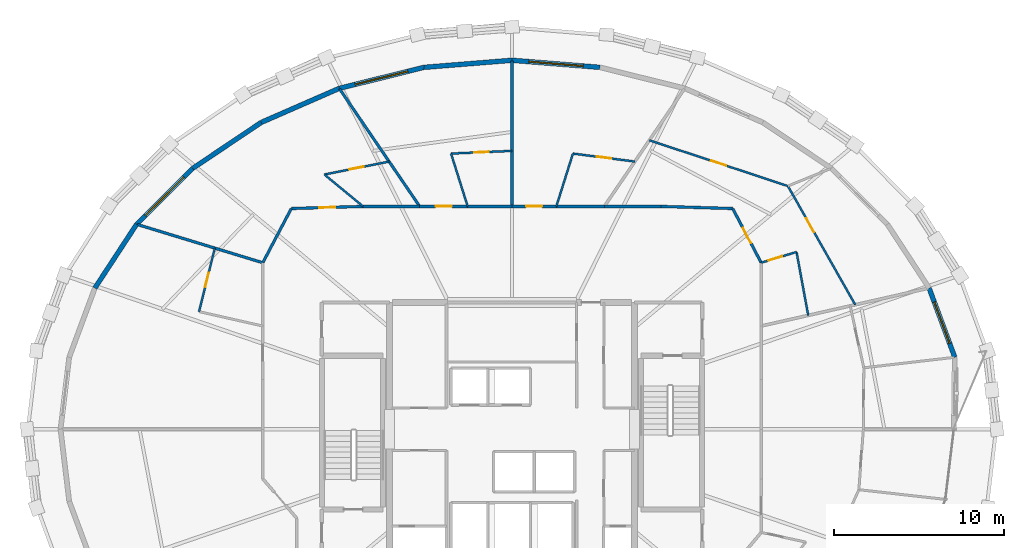
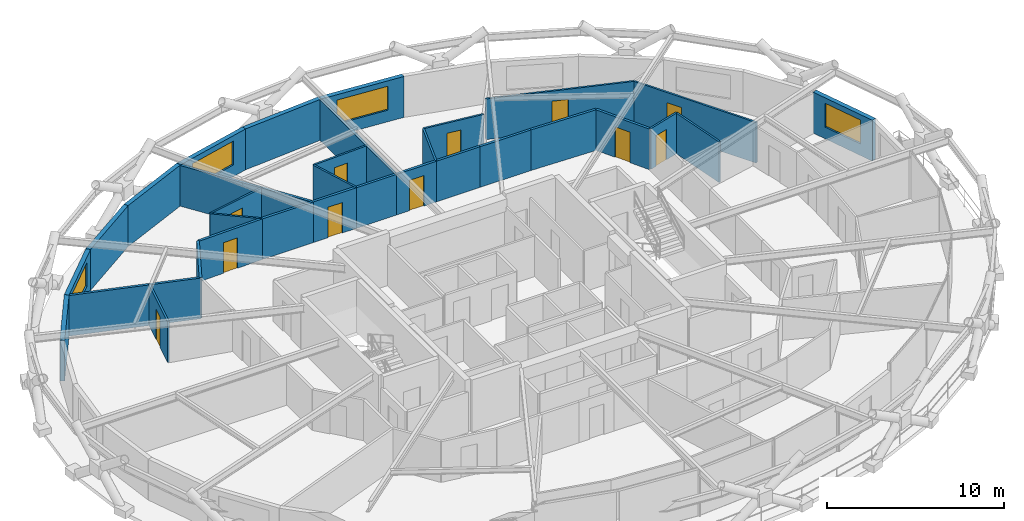
# One storey, part 17 of 21: 32 walls, 11 doors, 4 windows, 15 openings.
"""IFC4 building model written with IfcOpenShell, lengths in metres."""

from ifc_helpers import new_model, si_unit, direction, frame, frame_2d, origin, place, context, subcontext, project, spatial, rectangle, extrude, material, layer, layer_set, type_object, element, fill, save


model = new_model("IFC4")

# Units and contexts
model_context = context("Model", 3, precision=1e-05, world=origin(), true_north=direction((0.0, 1.0)))
body_context = subcontext(model_context, "Body", "Model", "MODEL_VIEW")
ifc_project = project(units=[si_unit("LENGTHUNIT", "METRE"), si_unit("AREAUNIT", "SQUARE_METRE"), si_unit("VOLUMEUNIT", "CUBIC_METRE"), si_unit("PLANEANGLEUNIT", "RADIAN"), si_unit("MASSUNIT", "GRAM", prefix="KILO")], contexts=[model_context])

# Site, building, storey
site_placement = place(None, origin())
site = spatial("IfcSite", under=ifc_project, at=site_placement, CompositionType="ELEMENT")
building_placement = place(site_placement, origin())
building = spatial("IfcBuilding", under=site, at=building_placement, Name="Veldorina Hangang Commons", CompositionType="ELEMENT")
storey_placement = place(building_placement, frame((0.0, 0.0, 135.199951171875)))
storey = spatial("IfcBuildingStorey", under=building, at=storey_placement, Name="L34", CompositionType="ELEMENT", Elevation=135.199951171875)

# Wall, opening, window
ifc_material_1 = material(Name="Stone Roman Travertine", Category="masonry")
ifc_layer_1 = layer(ifc_material_1, 0.280029296875)
ifc_layer_set_1 = layer_set([ifc_layer_1], Name="Stone Roman Travertine")
wall_type_1 = type_object("IfcWallType", Name="EW-TRAV-280", PredefinedType="STANDARD", material=ifc_layer_set_1)
wall_1_placement = place(storey_placement, frame((58.03125, 28.231689453125, 0.0), z_axis=(0.0, 0.0, 1.0), x_axis=(-0.347959140817, 0.937509699321, 0.0)))
wall_1 = element("IfcWall", 1, at=wall_1_placement, inside=storey, type_object=wall_type_1, Name="L34 travertine facade wall 01", PredefinedType="STANDARD", context=body_context, shape_type="SweptSolid", body=[
    extrude(rectangle(XDim=4.34033203125, YDim=0.280029296875, at=frame_2d((2.170166015625, 0.0))), origin(), (0.0, 0.0, 1.0), 2.820068359375),
])
opening_1_placement = place(wall_1_placement, frame((0.8701171875, 0.0, 0.800048828125)))
opening_1 = element("IfcOpeningElement", 2, at=opening_1_placement, cuts=wall_1, Name="Opening W-02", PredefinedType="OPENING", context=body_context, shape_type="SweptSolid", body=[
    extrude(rectangle(XDim=2.60009765625, YDim=1.64990234375, at=frame_2d((1.300048828125, 0.824951171875))), frame((0.0, 0.14990234375, 0.0), z_axis=(0.0, -1.0, 0.0), x_axis=(1.0, 0.0, 0.0)), (0.0, 0.0, 1.0), 0.300048828125),
])
ifc_material_2 = material(Name="Glass Low-E Triple IGU", Category="glass")
window_type_1 = type_object("IfcWindowType", Name="WIN-TWR-2600", PartitioningType="SINGLE_PANEL", PredefinedType="WINDOW", material=ifc_material_2)
window_1_placement = place(opening_1_placement, origin())
window_1 = element("IfcWindow", 3, at=window_1_placement, inside=storey, type_object=window_type_1, Name="L34 facade window 01", OverallHeight=1.64990234375, OverallWidth=2.60009765625, PartitioningType="SINGLE_PANEL", PredefinedType="WINDOW", context=body_context, shape_type="SweptSolid", body=[
    extrude(rectangle(XDim=2.60009765625, YDim=1.64990234375, at=frame_2d((1.300048828125, 0.824951171875))), frame((0.0, 0.030029296875, 0.0), z_axis=(0.0, -1.0, 0.0), x_axis=(1.0, 0.0, 0.0)), (0.0, 0.0, 1.0), 0.06005859375),
])
fill(opening_1, window_1)

wall_2_placement = place(storey_placement, frame((37.177978515625, 45.274169921875, 0.0), z_axis=(0.0, 0.0, 1.0), x_axis=(-0.996776757723, 0.080225278204, 0.0)))
wall_2 = element("IfcWall", 4, at=wall_2_placement, inside=storey, type_object=wall_type_1, Name="L34 travertine facade wall 07", PredefinedType="STANDARD", context=body_context, shape_type="SweptSolid", body=[
    extrude(rectangle(XDim=5.19482421875, YDim=0.280029296875, at=frame_2d((2.597412109375, 0.0))), origin(), (0.0, 0.0, 1.0), 2.820068359375),
])
opening_2_placement = place(wall_2_placement, frame((0.997314453125, 0.0, 0.800048828125)))
opening_2 = element("IfcOpeningElement", 5, at=opening_2_placement, cuts=wall_2, Name="Opening W-01", PredefinedType="OPENING", context=body_context, shape_type="SweptSolid", body=[
    extrude(rectangle(XDim=3.199951171875, YDim=1.64990234375, at=frame_2d((1.60009765625, 0.824951171875))), frame((0.0, 0.14990234375, 0.0), z_axis=(0.0, -1.0, 0.0), x_axis=(1.0, 0.0, 0.0)), (0.0, 0.0, 1.0), 0.300048828125),
])
window_type_2 = type_object("IfcWindowType", Name="WIN-TWR-3200", PartitioningType="SINGLE_PANEL", PredefinedType="WINDOW", material=ifc_material_2)
window_2_placement = place(opening_2_placement, origin())
window_2 = element("IfcWindow", 6, at=window_2_placement, inside=storey, type_object=window_type_2, Name="L34 facade window 07", OverallHeight=1.64990234375, OverallWidth=3.199951171875, PartitioningType="SINGLE_PANEL", PredefinedType="WINDOW", context=body_context, shape_type="SweptSolid", body=[
    extrude(rectangle(XDim=3.199951171875, YDim=1.64990234375, at=frame_2d((1.60009765625, 0.824951171875))), frame((0.0, 0.030029296875, 0.0), z_axis=(0.0, -1.0, 0.0), x_axis=(1.0, 0.0, 0.0)), (0.0, 0.0, 1.0), 0.06005859375),
])
fill(opening_2, window_2)

# Wall
wall_3_placement = place(storey_placement, frame((32.0, 45.69091796875, 0.0), z_axis=(0.0, 0.0, 1.0), x_axis=(-0.996776757723, -0.080225278204, 0.0)))
element("IfcWall", 7, at=wall_3_placement, inside=storey, type_object=wall_type_1, Name="L34 travertine facade wall 08", PredefinedType="STANDARD", context=body_context, shape_type="SweptSolid", body=[
    extrude(rectangle(XDim=5.19482421875, YDim=0.280029296875, at=frame_2d((2.597412109375, 0.0))), origin(), (0.0, 0.0, 1.0), 2.820068359375),
])

# Wall, opening, window
wall_4_placement = place(storey_placement, frame((26.822021484375, 45.274169921875, 0.0), z_axis=(0.0, 0.0, 1.0), x_axis=(-0.970616564694, -0.240631428415, 0.0)))
wall_4 = element("IfcWall", 8, at=wall_4_placement, inside=storey, type_object=wall_type_1, Name="L34 travertine facade wall 09", PredefinedType="STANDARD", context=body_context, shape_type="SweptSolid", body=[
    extrude(rectangle(XDim=5.129638671875, YDim=0.280029296875, at=frame_2d((2.56494140625, 0.0))), origin(), (0.0, 0.0, 1.0), 2.820068359375),
])
opening_3_placement = place(wall_4_placement, frame((0.96484375, 0.0, 0.800048828125)))
opening_3 = element("IfcOpeningElement", 9, at=opening_3_placement, cuts=wall_4, Name="Opening W-01", PredefinedType="OPENING", context=body_context, shape_type="SweptSolid", body=[
    extrude(rectangle(XDim=3.199951171875, YDim=1.64990234375, at=frame_2d((1.60009765625, 0.824951171875))), frame((0.0, 0.14990234375, 0.0), z_axis=(0.0, -1.0, 0.0), x_axis=(1.0, 0.0, 0.0)), (0.0, 0.0, 1.0), 0.300048828125),
])
window_3_placement = place(opening_3_placement, origin())
window_3 = element("IfcWindow", 10, at=window_3_placement, inside=storey, type_object=window_type_2, Name="L34 facade window 09", OverallHeight=1.64990234375, OverallWidth=3.199951171875, PartitioningType="SINGLE_PANEL", PredefinedType="WINDOW", context=body_context, shape_type="SweptSolid", body=[
    extrude(rectangle(XDim=3.199951171875, YDim=1.64990234375, at=frame_2d((1.60009765625, 0.824951171875))), frame((0.0, 0.030029296875, 0.0), z_axis=(0.0, -1.0, 0.0), x_axis=(1.0, 0.0, 0.0)), (0.0, 0.0, 1.0), 0.06005859375),
])
fill(opening_3, window_3)

# Walls
wall_5_placement = place(storey_placement, frame((21.843017578125, 44.039794921875, 0.0), z_axis=(0.0, 0.0, 1.0), x_axis=(-0.916386582237, -0.400294431507, 0.0)))
element("IfcWall", 11, at=wall_5_placement, inside=storey, type_object=wall_type_1, Name="L34 travertine facade wall 10", PredefinedType="STANDARD", context=body_context, shape_type="SweptSolid", body=[
    extrude(rectangle(XDim=5.00732421875, YDim=0.280029296875, at=frame_2d((2.503662109375, 0.0))), origin(), (0.0, 0.0, 1.0), 2.820068359375),
])
wall_6_placement = place(storey_placement, frame((17.25439453125, 42.035400390625, 0.0), z_axis=(0.0, 0.0, 1.0), x_axis=(-0.830503660309, -0.557013168797, 0.0)))
element("IfcWall", 12, at=wall_6_placement, inside=storey, type_object=wall_type_1, Name="L34 travertine facade wall 11", PredefinedType="STANDARD", context=body_context, shape_type="SweptSolid", body=[
    extrude(rectangle(XDim=4.8427734375, YDim=0.280029296875, at=frame_2d((2.42138671875, 0.0))), origin(), (0.0, 0.0, 1.0), 2.820068359375),
])

# Wall, opening, window
wall_7_placement = place(storey_placement, frame((13.232421875, 39.337890625, 0.0), z_axis=(0.0, 0.0, 1.0), x_axis=(-0.708572716766, -0.705637800188, 0.0)))
wall_7 = element("IfcWall", 13, at=wall_7_placement, inside=storey, type_object=wall_type_1, Name="L34 travertine facade wall 12", PredefinedType="STANDARD", context=body_context, shape_type="SweptSolid", body=[
    extrude(rectangle(XDim=4.658447265625, YDim=0.280029296875, at=frame_2d((2.3291015625, 0.0))), origin(), (0.0, 0.0, 1.0), 2.820068359375),
])
opening_4_placement = place(wall_7_placement, frame((0.72900390625, 0.0, 0.800048828125)))
opening_4 = element("IfcOpeningElement", 14, at=opening_4_placement, cuts=wall_7, Name="Opening W-01", PredefinedType="OPENING", context=body_context, shape_type="SweptSolid", body=[
    extrude(rectangle(XDim=3.199951171875, YDim=1.64990234375, at=frame_2d((1.60009765625, 0.824951171875))), frame((0.0, 0.14990234375, 0.0), z_axis=(0.0, -1.0, 0.0), x_axis=(1.0, 0.0, 0.0)), (0.0, 0.0, 1.0), 0.300048828125),
])
window_4_placement = place(opening_4_placement, origin())
window_4 = element("IfcWindow", 15, at=window_4_placement, inside=storey, type_object=window_type_2, Name="L34 facade window 12", OverallHeight=1.64990234375, OverallWidth=3.199951171875, PartitioningType="SINGLE_PANEL", PredefinedType="WINDOW", context=body_context, shape_type="SweptSolid", body=[
    extrude(rectangle(XDim=3.199951171875, YDim=1.64990234375, at=frame_2d((1.60009765625, 0.824951171875))), frame((0.0, 0.030029296875, 0.0), z_axis=(0.0, -1.0, 0.0), x_axis=(1.0, 0.0, 0.0)), (0.0, 0.0, 1.0), 0.06005859375),
])
fill(opening_4, window_4)

# Wall
wall_8_placement = place(storey_placement, frame((9.931640625, 36.05078125, 0.0), z_axis=(0.0, 0.0, 1.0), x_axis=(-0.547360926274, -0.83689665813, 0.0)))
element("IfcWall", 16, at=wall_8_placement, inside=storey, type_object=wall_type_1, Name="L34 travertine facade wall 13", PredefinedType="STANDARD", context=body_context, shape_type="SweptSolid", body=[
    extrude(rectangle(XDim=4.48095703125, YDim=0.280029296875, at=frame_2d((2.240478515625, 0.0))), origin(), (0.0, 0.0, 1.0), 2.820068359375),
])

# Wall, opening, door
ifc_material_3 = material(Name="Gypsum Fire-Rated Twin Stud Wall", Category="gypsum")
ifc_layer_2 = layer(ifc_material_3, 0.159912109375)
ifc_layer_set_2 = layer_set([ifc_layer_2], Name="Gypsum Fire-Rated Twin Stud Wall")
wall_type_2 = type_object("IfcWallType", Name="WL-FIRE-160", PredefinedType="SOLIDWALL", material=ifc_layer_set_2)
wall_9_placement = place(storey_placement, frame((46.64990234375, 33.788818359375, 0.0), z_axis=(0.0, 0.0, 1.0), x_axis=(-0.46527115782, 0.885168204185, 0.0)))
wall_9 = element("IfcWall", 17, at=wall_9_placement, inside=storey, type_object=wall_type_2, Name="L34 U-corridor outer wall 03 047", PredefinedType="SOLIDWALL", context=body_context, shape_type="SweptSolid", body=[
    extrude(rectangle(XDim=3.599609375, YDim=0.159912109375, at=frame_2d((1.7998046875, 0.0))), origin(), (0.0, 0.0, 1.0), 2.800048828125),
])
opening_5_placement = place(wall_9_placement, frame((1.2998046875, 0.0, 0.0)))
opening_5 = element("IfcOpeningElement", 18, at=opening_5_placement, cuts=wall_9, Name="Opening D-06", PredefinedType="OPENING", context=body_context, shape_type="SweptSolid", body=[
    extrude(rectangle(XDim=1.0, YDim=2.10009765625, at=frame_2d((0.5, 1.050048828125))), frame((0.0, 0.08984375, 0.0), z_axis=(0.0, -1.0, 0.0), x_axis=(1.0, 0.0, 0.0)), (0.0, 0.0, 1.0), 0.179931640625),
])
ifc_material_4 = material(Name="Timber Fire-Rated Entrance Core", Category="wood")
door_type_1 = type_object("IfcDoorType", Name="DR-UNIT-1000", OperationType="SINGLE_SWING_LEFT", PredefinedType="DOOR", material=ifc_material_4)
door_1_placement = place(opening_5_placement, origin())
door_1 = element("IfcDoor", 19, at=door_1_placement, inside=storey, type_object=door_type_1, Name="L34 Cluster 3 entrance door 027", OperationType="SINGLE_SWING_LEFT", OverallHeight=2.10009765625, OverallWidth=1.0, PredefinedType="DOOR", context=body_context, shape_type="SweptSolid", body=[
    extrude(rectangle(XDim=1.0, YDim=2.10009765625, at=frame_2d((0.5, 1.050048828125))), frame((0.0, 0.02490234375, 0.0), z_axis=(0.0, -1.0, 0.0), x_axis=(1.0, 0.0, 0.0)), (0.0, 0.0, 1.0), 0.050048828125),
])
fill(opening_5, door_1)

# Walls
wall_10_placement = place(storey_placement, frame((44.97509765625, 36.97509765625, 0.0), z_axis=(0.0, 0.0, 1.0), x_axis=(-0.999561990195, 0.029594387265, 0.0)))
element("IfcWall", 20, at=wall_10_placement, inside=storey, type_object=wall_type_2, Name="L34 U-corridor outer wall 04 048", PredefinedType="SOLIDWALL", context=body_context, shape_type="SweptSolid", body=[
    extrude(rectangle(XDim=4.223876953125, YDim=0.159912109375, at=frame_2d((2.11181640625, 0.0))), origin(), (0.0, 0.0, 1.0), 2.800048828125),
])
wall_11_placement = place(storey_placement, frame((40.753173828125, 37.10009765625, 0.0), z_axis=(0.0, 0.0, 1.0), x_axis=(-1.0, 0.0, 0.0)))
element("IfcWall", 21, at=wall_11_placement, inside=storey, type_object=wall_type_2, Name="L34 U-corridor outer wall 05 049", PredefinedType="SOLIDWALL", context=body_context, shape_type="SweptSolid", body=[
    extrude(rectangle(XDim=3.326904296875, YDim=0.159912109375, at=frame_2d((1.66357421875, 0.0))), origin(), (0.0, 0.0, 1.0), 2.800048828125),
])
wall_12_placement = place(storey_placement, frame((37.42626953125, 37.10009765625, 0.0), z_axis=(0.0, 0.0, 1.0), x_axis=(-1.0, 0.0, 0.0)))
element("IfcWall", 22, at=wall_12_placement, inside=storey, type_object=wall_type_2, Name="L34 U-corridor outer wall 06 050", PredefinedType="SOLIDWALL", context=body_context, shape_type="SweptSolid", body=[
    extrude(rectangle(XDim=2.820556640625, YDim=0.159912109375, at=frame_2d((1.41015625, 0.0))), origin(), (0.0, 0.0, 1.0), 2.800048828125),
])

# Wall, opening, door
wall_13_placement = place(storey_placement, frame((34.605712890625, 37.10009765625, 0.0), z_axis=(0.0, 0.0, 1.0), x_axis=(-1.0, 0.0, 0.0)))
wall_13 = element("IfcWall", 23, at=wall_13_placement, inside=storey, type_object=wall_type_2, Name="L34 U-corridor outer wall 07 051", PredefinedType="SOLIDWALL", context=body_context, shape_type="SweptSolid", body=[
    extrude(rectangle(XDim=2.605712890625, YDim=0.159912109375, at=frame_2d((1.302734375, 0.0))), origin(), (0.0, 0.0, 1.0), 2.800048828125),
])
opening_6_placement = place(wall_13_placement, frame((0.827880859375, 0.0, 0.0)))
opening_6 = element("IfcOpeningElement", 24, at=opening_6_placement, cuts=wall_13, Name="Opening D-03", PredefinedType="OPENING", context=body_context, shape_type="SweptSolid", body=[
    extrude(rectangle(XDim=0.949951171875, YDim=2.10009765625, at=frame_2d((0.47509765625, 1.050048828125))), frame((0.0, 0.08984375, 0.0), z_axis=(0.0, -1.0, 0.0), x_axis=(1.0, 0.0, 0.0)), (0.0, 0.0, 1.0), 0.179931640625),
])
door_type_2 = type_object("IfcDoorType", Name="DR-UNIT-950", OperationType="SINGLE_SWING_RIGHT", PredefinedType="DOOR", material=ifc_material_4)
door_2_placement = place(opening_6_placement, origin())
door_2 = element("IfcDoor", 25, at=door_2_placement, inside=storey, type_object=door_type_2, Name="L34 Studio 4 entrance door 031", OperationType="SINGLE_SWING_LEFT", OverallHeight=2.10009765625, OverallWidth=0.949951171875, PredefinedType="DOOR", context=body_context, shape_type="SweptSolid", body=[
    extrude(rectangle(XDim=0.949951171875, YDim=2.10009765625, at=frame_2d((0.47509765625, 1.050048828125))), frame((0.0, 0.02490234375, 0.0), z_axis=(0.0, -1.0, 0.0), x_axis=(1.0, 0.0, 0.0)), (0.0, 0.0, 1.0), 0.050048828125),
])
fill(opening_6, door_2)

# Wall
wall_14_placement = place(storey_placement, frame((32.0, 37.10009765625, 0.0), z_axis=(0.0, 0.0, 1.0), x_axis=(-1.0, 0.0, 0.0)))
element("IfcWall", 26, at=wall_14_placement, inside=storey, type_object=wall_type_2, Name="L34 U-corridor outer wall 08 052", PredefinedType="SOLIDWALL", context=body_context, shape_type="SweptSolid", body=[
    extrude(rectangle(XDim=2.605712890625, YDim=0.159912109375, at=frame_2d((1.302734375, 0.0))), origin(), (0.0, 0.0, 1.0), 2.800048828125),
])

# Wall, opening, door
wall_15_placement = place(storey_placement, frame((29.394287109375, 37.10009765625, 0.0), z_axis=(0.0, 0.0, 1.0), x_axis=(-1.0, 0.0, 0.0)))
wall_15 = element("IfcWall", 27, at=wall_15_placement, inside=storey, type_object=wall_type_2, Name="L34 U-corridor outer wall 09 053", PredefinedType="SOLIDWALL", context=body_context, shape_type="SweptSolid", body=[
    extrude(rectangle(XDim=2.820556640625, YDim=0.159912109375, at=frame_2d((1.41015625, 0.0))), origin(), (0.0, 0.0, 1.0), 2.800048828125),
])
opening_7_placement = place(wall_15_placement, frame((0.935302734375, 0.0, 0.0)))
opening_7 = element("IfcOpeningElement", 28, at=opening_7_placement, cuts=wall_15, Name="Opening D-03", PredefinedType="OPENING", context=body_context, shape_type="SweptSolid", body=[
    extrude(rectangle(XDim=0.949951171875, YDim=2.10009765625, at=frame_2d((0.47509765625, 1.050048828125))), frame((0.0, 0.08984375, 0.0), z_axis=(0.0, -1.0, 0.0), x_axis=(1.0, 0.0, 0.0)), (0.0, 0.0, 1.0), 0.179931640625),
])
door_3_placement = place(opening_7_placement, origin())
door_3 = element("IfcDoor", 29, at=door_3_placement, inside=storey, type_object=door_type_2, Name="L34 Studio 5 entrance door 033", OperationType="SINGLE_SWING_LEFT", OverallHeight=2.10009765625, OverallWidth=0.949951171875, PredefinedType="DOOR", context=body_context, shape_type="SweptSolid", body=[
    extrude(rectangle(XDim=0.949951171875, YDim=2.10009765625, at=frame_2d((0.47509765625, 1.050048828125))), frame((0.0, 0.02490234375, 0.0), z_axis=(0.0, -1.0, 0.0), x_axis=(1.0, 0.0, 0.0)), (0.0, 0.0, 1.0), 0.050048828125),
])
fill(opening_7, door_3)

# Wall
wall_16_placement = place(storey_placement, frame((26.57373046875, 37.10009765625, 0.0), z_axis=(0.0, 0.0, 1.0), x_axis=(-1.0, 0.0, 0.0)))
element("IfcWall", 30, at=wall_16_placement, inside=storey, type_object=wall_type_2, Name="L34 U-corridor outer wall 10 054", PredefinedType="SOLIDWALL", context=body_context, shape_type="SweptSolid", body=[
    extrude(rectangle(XDim=3.326904296875, YDim=0.159912109375, at=frame_2d((1.66357421875, 0.0))), origin(), (0.0, 0.0, 1.0), 2.800048828125),
])

# Wall, opening, door
wall_17_placement = place(storey_placement, frame((23.246826171875, 37.10009765625, 0.0), z_axis=(0.0, 0.0, 1.0), x_axis=(-0.999561990195, -0.029594387265, 0.0)))
wall_17 = element("IfcWall", 31, at=wall_17_placement, inside=storey, type_object=wall_type_2, Name="L34 U-corridor outer wall 11 055", PredefinedType="SOLIDWALL", context=body_context, shape_type="SweptSolid", body=[
    extrude(rectangle(XDim=4.223876953125, YDim=0.159912109375, at=frame_2d((2.11181640625, 0.0))), origin(), (0.0, 0.0, 1.0), 2.800048828125),
])
opening_8_placement = place(wall_17_placement, frame((1.636962890625, 0.0, 0.0)))
opening_8 = element("IfcOpeningElement", 32, at=opening_8_placement, cuts=wall_17, Name="Opening D-03", PredefinedType="OPENING", context=body_context, shape_type="SweptSolid", body=[
    extrude(rectangle(XDim=0.949951171875, YDim=2.10009765625, at=frame_2d((0.47509765625, 1.050048828125))), frame((0.0, 0.08984375, 0.0), z_axis=(0.0, -1.0, 0.0), x_axis=(1.0, 0.0, 0.0)), (0.0, 0.0, 1.0), 0.179931640625),
])
door_4_placement = place(opening_8_placement, origin())
door_4 = element("IfcDoor", 33, at=door_4_placement, inside=storey, type_object=door_type_2, Name="L34 Studio 6 entrance door 035", OperationType="SINGLE_SWING_LEFT", OverallHeight=2.10009765625, OverallWidth=0.949951171875, PredefinedType="DOOR", context=body_context, shape_type="SweptSolid", body=[
    extrude(rectangle(XDim=0.949951171875, YDim=2.10009765625, at=frame_2d((0.47509765625, 1.050048828125))), frame((0.0, 0.02490234375, 0.0), z_axis=(0.0, -1.0, 0.0), x_axis=(1.0, 0.0, 0.0)), (0.0, 0.0, 1.0), 0.050048828125),
])
fill(opening_8, door_4)

# Walls
wall_18_placement = place(storey_placement, frame((19.02490234375, 36.97509765625, 0.0), z_axis=(0.0, 0.0, 1.0), x_axis=(-0.46527115782, -0.885168204185, 0.0)))
element("IfcWall", 34, at=wall_18_placement, inside=storey, type_object=wall_type_2, Name="L34 U-corridor outer wall 12 056", PredefinedType="SOLIDWALL", context=body_context, shape_type="SweptSolid", body=[
    extrude(rectangle(XDim=3.599609375, YDim=0.159912109375, at=frame_2d((1.7998046875, 0.0))), origin(), (0.0, 0.0, 1.0), 2.800048828125),
])
wall_19_placement = place(storey_placement, frame((32.0, 37.10009765625, 0.0), z_axis=(0.0, 0.0, 1.0), x_axis=(0.0, 1.0, 0.0)))
element("IfcWall", 35, at=wall_19_placement, inside=storey, type_object=wall_type_2, Name="L34 Unit party wall 08 100", PredefinedType="SOLIDWALL", context=body_context, shape_type="SweptSolid", body=[
    extrude(rectangle(XDim=8.540771484375, YDim=0.159912109375, at=frame_2d((4.2705078125, 0.0))), origin(), (0.0, 0.0, 1.0), 2.800048828125),
])
wall_20_placement = place(storey_placement, frame((26.57373046875, 37.10009765625, 0.0), z_axis=(0.0, 0.0, 1.0), x_axis=(-0.563247896503, 0.826287968619, 0.0)))
element("IfcWall", 36, at=wall_20_placement, inside=storey, type_object=wall_type_2, Name="L34 Unit party wall 10 103", PredefinedType="SOLIDWALL", context=body_context, shape_type="SweptSolid", body=[
    extrude(rectangle(XDim=8.3486328125, YDim=0.159912109375, at=frame_2d((4.17431640625, 0.0))), origin(), (0.0, 0.0, 1.0), 2.800048828125),
])
wall_21_placement = place(storey_placement, frame((17.35009765625, 33.788818359375, 0.0), z_axis=(0.0, 0.0, 1.0), x_axis=(-0.95652602868, 0.291646972309, 0.0)))
element("IfcWall", 37, at=wall_21_placement, inside=storey, type_object=wall_type_2, Name="L34 Unit party wall 13 106", PredefinedType="SOLIDWALL", context=body_context, shape_type="SweptSolid", body=[
    extrude(rectangle(XDim=7.70556640625, YDim=0.159912109375, at=frame_2d((3.852783203125, 0.0))), origin(), (0.0, 0.0, 1.0), 2.800048828125),
])
ifc_material_5 = material(Name="Gypsum Acoustic Stud Partition", Category="gypsum")
ifc_layer_3 = layer(ifc_material_5, 0.1201171875)
ifc_layer_set_3 = layer_set([ifc_layer_3], Name="Gypsum Acoustic Stud Partition")
wall_type_3 = type_object("IfcWallType", Name="WL-PART-120", PredefinedType="PARTITIONING", material=ifc_layer_set_3)
wall_22_placement = place(storey_placement, frame((49.413818359375, 30.693359375, 0.0), z_axis=(0.0, 0.0, 1.0), x_axis=(-0.181134567916, 0.983458320574, 0.0)))
element("IfcWall", 38, at=wall_22_placement, inside=storey, type_object=wall_type_3, Name="L34 Cluster 3 bath front wall 092", PredefinedType="PARTITIONING", context=body_context, shape_type="SweptSolid", body=[
    extrude(rectangle(XDim=3.79150390625, YDim=0.1201171875, at=frame_2d((1.895751953125, 0.0))), origin(), (0.0, 0.0, 1.0), 2.800048828125),
])

# Wall, opening, door
wall_23_placement = place(storey_placement, frame((46.64990234375, 33.788818359375, 0.0), z_axis=(0.0, 0.0, 1.0), x_axis=(0.956529436115, 0.291635796578, 0.0)))
wall_23 = element("IfcWall", 39, at=wall_23_placement, inside=storey, type_object=wall_type_3, Name="L34 Cluster 3 bath side wall 093", PredefinedType="PARTITIONING", context=body_context, shape_type="SweptSolid", body=[
    extrude(rectangle(XDim=2.171630859375, YDim=0.1201171875, at=frame_2d((1.0859375, 0.0))), origin(), (0.0, 0.0, 1.0), 2.800048828125),
])
opening_9_placement = place(wall_23_placement, frame((0.43994140625, 0.0, 0.0)))
opening_9 = element("IfcOpeningElement", 40, at=opening_9_placement, cuts=wall_23, Name="Opening D-01", PredefinedType="OPENING", context=body_context, shape_type="SweptSolid", body=[
    extrude(rectangle(XDim=0.860107421875, YDim=2.10009765625, at=frame_2d((0.43017578125, 1.050048828125))), frame((0.0, 0.070068359375, 0.0), z_axis=(0.0, -1.0, 0.0), x_axis=(1.0, 0.0, 0.0)), (0.0, 0.0, 1.0), 0.14013671875),
])
ifc_material_6 = material(Name="Timber Moisture-Resistant Core", Category="wood")
door_type_3 = type_object("IfcDoorType", Name="DR-WET-860", OperationType="SINGLE_SWING_LEFT", PredefinedType="DOOR", material=ifc_material_6)
door_5_placement = place(opening_9_placement, origin())
door_5 = element("IfcDoor", 41, at=door_5_placement, inside=storey, type_object=door_type_3, Name="L34 Cluster 3 shared bathroom door 026", OperationType="SINGLE_SWING_RIGHT", OverallHeight=2.10009765625, OverallWidth=0.860107421875, PredefinedType="DOOR", context=body_context, shape_type="SweptSolid", body=[
    extrude(rectangle(XDim=0.860107421875, YDim=2.10009765625, at=frame_2d((0.43017578125, 1.050048828125))), frame((0.0, 0.02490234375, 0.0), z_axis=(0.0, -1.0, 0.0), x_axis=(1.0, 0.0, 0.0)), (0.0, 0.0, 1.0), 0.050048828125),
])
fill(opening_9, door_5)

wall_24_placement = place(storey_placement, frame((52.177734375, 31.318359375, 0.0), z_axis=(0.0, 0.0, 1.0), x_axis=(-0.493371027673, 0.869818963378, 0.0)))
wall_24 = element("IfcWall", 42, at=wall_24_placement, inside=storey, type_object=wall_type_3, Name="L34 Cluster 3 bed 1 front wall 094", PredefinedType="PARTITIONING", context=body_context, shape_type="SweptSolid", body=[
    extrude(rectangle(XDim=8.0244140625, YDim=0.1201171875, at=frame_2d((4.01220703125, 0.0))), origin(), (0.0, 0.0, 1.0), 2.800048828125),
])
opening_10_placement = place(wall_24_placement, frame((4.89990234375, 0.0, 0.0)))
opening_10 = element("IfcOpeningElement", 43, at=opening_10_placement, cuts=wall_24, Name="Opening D-02", PredefinedType="OPENING", context=body_context, shape_type="SweptSolid", body=[
    extrude(rectangle(XDim=0.949951171875, YDim=2.10009765625, at=frame_2d((0.47509765625, 1.050048828125))), frame((0.0, 0.070068359375, 0.0), z_axis=(0.0, -1.0, 0.0), x_axis=(1.0, 0.0, 0.0)), (0.0, 0.0, 1.0), 0.14013671875),
])
ifc_material_7 = material(Name="Timber Solid Core Acoustic", Category="wood")
door_type_4 = type_object("IfcDoorType", Name="DR-INT-950", OperationType="SINGLE_SWING_LEFT", PredefinedType="DOOR", material=ifc_material_7)
door_6_placement = place(opening_10_placement, origin())
door_6 = element("IfcDoor", 44, at=door_6_placement, inside=storey, type_object=door_type_4, Name="L34 Cluster 3 bed 1 door 028", OperationType="SINGLE_SWING_RIGHT", OverallHeight=2.10009765625, OverallWidth=0.949951171875, PredefinedType="DOOR", context=body_context, shape_type="SweptSolid", body=[
    extrude(rectangle(XDim=0.949951171875, YDim=2.10009765625, at=frame_2d((0.47509765625, 1.050048828125))), frame((0.0, 0.02490234375, 0.0), z_axis=(0.0, -1.0, 0.0), x_axis=(1.0, 0.0, 0.0)), (0.0, 0.0, 1.0), 0.050048828125),
])
fill(opening_10, door_6)

wall_25_placement = place(storey_placement, frame((48.21875, 38.298095703125, 0.0), z_axis=(0.0, 0.0, 1.0), x_axis=(-0.949596025741, 0.313476295591, 0.0)))
wall_25 = element("IfcWall", 45, at=wall_25_placement, inside=storey, type_object=wall_type_3, Name="L34 Cluster 3 bed 2 front wall 095", PredefinedType="PARTITIONING", context=body_context, shape_type="SweptSolid", body=[
    extrude(rectangle(XDim=8.575439453125, YDim=0.1201171875, at=frame_2d((4.28759765625, 0.0))), origin(), (0.0, 0.0, 1.0), 2.800048828125),
])
opening_11_placement = place(wall_25_placement, frame((3.812744140625, 0.0, 0.0)))
opening_11 = element("IfcOpeningElement", 46, at=opening_11_placement, cuts=wall_25, Name="Opening D-02", PredefinedType="OPENING", context=body_context, shape_type="SweptSolid", body=[
    extrude(rectangle(XDim=0.949951171875, YDim=2.10009765625, at=frame_2d((0.47509765625, 1.050048828125))), frame((0.0, 0.070068359375, 0.0), z_axis=(0.0, -1.0, 0.0), x_axis=(1.0, 0.0, 0.0)), (0.0, 0.0, 1.0), 0.14013671875),
])
door_7_placement = place(opening_11_placement, origin())
door_7 = element("IfcDoor", 47, at=door_7_placement, inside=storey, type_object=door_type_4, Name="L34 Cluster 3 bed 2 door 029", OperationType="SINGLE_SWING_LEFT", OverallHeight=2.10009765625, OverallWidth=0.949951171875, PredefinedType="DOOR", context=body_context, shape_type="SweptSolid", body=[
    extrude(rectangle(XDim=0.949951171875, YDim=2.10009765625, at=frame_2d((0.47509765625, 1.050048828125))), frame((0.0, 0.02490234375, 0.0), z_axis=(0.0, -1.0, 0.0), x_axis=(1.0, 0.0, 0.0)), (0.0, 0.0, 1.0), 0.050048828125),
])
fill(opening_11, door_7)

wall_26_placement = place(storey_placement, frame((39.223876953125, 39.737060546875, 0.0), z_axis=(0.0, 0.0, 1.0), x_axis=(-0.991795828826, 0.127832053581, 0.0)))
wall_26 = element("IfcWall", 48, at=wall_26_placement, inside=storey, type_object=wall_type_3, Name="L34 Studio 4 bath front wall 098", PredefinedType="PARTITIONING", context=body_context, shape_type="SweptSolid", body=[
    extrude(rectangle(XDim=3.670654296875, YDim=0.1201171875, at=frame_2d((1.83544921875, 0.0))), origin(), (0.0, 0.0, 1.0), 2.800048828125),
])
opening_12_placement = place(wall_26_placement, frame((1.405517578125, 0.0, 0.0)))
opening_12 = element("IfcOpeningElement", 49, at=opening_12_placement, cuts=wall_26, Name="Opening D-01", PredefinedType="OPENING", context=body_context, shape_type="SweptSolid", body=[
    extrude(rectangle(XDim=0.860107421875, YDim=2.10009765625, at=frame_2d((0.43017578125, 1.050048828125))), frame((0.0, 0.070068359375, 0.0), z_axis=(0.0, -1.0, 0.0), x_axis=(1.0, 0.0, 0.0)), (0.0, 0.0, 1.0), 0.14013671875),
])
door_8_placement = place(opening_12_placement, origin())
door_8 = element("IfcDoor", 50, at=door_8_placement, inside=storey, type_object=door_type_3, Name="L34 Studio 4 bathroom door 030", OperationType="SINGLE_SWING_RIGHT", OverallHeight=2.10009765625, OverallWidth=0.860107421875, PredefinedType="DOOR", context=body_context, shape_type="SweptSolid", body=[
    extrude(rectangle(XDim=0.860107421875, YDim=2.10009765625, at=frame_2d((0.43017578125, 1.050048828125))), frame((0.0, 0.02490234375, 0.0), z_axis=(0.0, -1.0, 0.0), x_axis=(1.0, 0.0, 0.0)), (0.0, 0.0, 1.0), 0.050048828125),
])
fill(opening_12, door_8)

# Wall
wall_27_placement = place(storey_placement, frame((34.605712890625, 37.10009765625, 0.0), z_axis=(0.0, 0.0, 1.0), x_axis=(0.300191134318, 0.953879071411, 0.0)))
element("IfcWall", 51, at=wall_27_placement, inside=storey, type_object=wall_type_3, Name="L34 Studio 4 bath side wall 099", PredefinedType="PARTITIONING", context=body_context, shape_type="SweptSolid", body=[
    extrude(rectangle(XDim=3.25634765625, YDim=0.1201171875, at=frame_2d((1.628173828125, 0.0))), origin(), (0.0, 0.0, 1.0), 2.800048828125),
])

# Wall, opening, door
wall_28_placement = place(storey_placement, frame((32.0, 40.364501953125, 0.0), z_axis=(0.0, 0.0, 1.0), x_axis=(-0.999026779897, -0.044107743638, 0.0)))
wall_28 = element("IfcWall", 52, at=wall_28_placement, inside=storey, type_object=wall_type_3, Name="L34 Studio 5 bath front wall 101", PredefinedType="PARTITIONING", context=body_context, shape_type="SweptSolid", body=[
    extrude(rectangle(XDim=3.586669921875, YDim=0.1201171875, at=frame_2d((1.79345703125, 0.0))), origin(), (0.0, 0.0, 1.0), 2.800048828125),
])
opening_13_placement = place(wall_28_placement, frame((1.36328125, 0.0, 0.0)))
opening_13 = element("IfcOpeningElement", 53, at=opening_13_placement, cuts=wall_28, Name="Opening D-01", PredefinedType="OPENING", context=body_context, shape_type="SweptSolid", body=[
    extrude(rectangle(XDim=0.860107421875, YDim=2.10009765625, at=frame_2d((0.43017578125, 1.050048828125))), frame((0.0, 0.070068359375, 0.0), z_axis=(0.0, -1.0, 0.0), x_axis=(1.0, 0.0, 0.0)), (0.0, 0.0, 1.0), 0.14013671875),
])
door_9_placement = place(opening_13_placement, origin())
door_9 = element("IfcDoor", 54, at=door_9_placement, inside=storey, type_object=door_type_3, Name="L34 Studio 5 bathroom door 032", OperationType="SINGLE_SWING_RIGHT", OverallHeight=2.10009765625, OverallWidth=0.860107421875, PredefinedType="DOOR", context=body_context, shape_type="SweptSolid", body=[
    extrude(rectangle(XDim=0.860107421875, YDim=2.10009765625, at=frame_2d((0.43017578125, 1.050048828125))), frame((0.0, 0.02490234375, 0.0), z_axis=(0.0, -1.0, 0.0), x_axis=(1.0, 0.0, 0.0)), (0.0, 0.0, 1.0), 0.050048828125),
])
fill(opening_13, door_9)

# Wall
wall_29_placement = place(storey_placement, frame((29.394287109375, 37.10009765625, 0.0), z_axis=(0.0, 0.0, 1.0), x_axis=(-0.300191134318, 0.953879071411, 0.0)))
element("IfcWall", 55, at=wall_29_placement, inside=storey, type_object=wall_type_3, Name="L34 Studio 5 bath side wall 102", PredefinedType="PARTITIONING", context=body_context, shape_type="SweptSolid", body=[
    extrude(rectangle(XDim=3.25634765625, YDim=0.1201171875, at=frame_2d((1.628173828125, 0.0))), origin(), (0.0, 0.0, 1.0), 2.800048828125),
])

# Wall, opening, door
wall_30_placement = place(storey_placement, frame((24.776123046875, 39.737060546875, 0.0), z_axis=(0.0, 0.0, 1.0), x_axis=(-0.980558899125, -0.196224986548, 0.0)))
wall_30 = element("IfcWall", 56, at=wall_30_placement, inside=storey, type_object=wall_type_3, Name="L34 Studio 6 bath front wall 104", PredefinedType="PARTITIONING", context=body_context, shape_type="SweptSolid", body=[
    extrude(rectangle(XDim=3.8818359375, YDim=0.1201171875, at=frame_2d((1.94091796875, 0.0))), origin(), (0.0, 0.0, 1.0), 2.800048828125),
])
opening_14_placement = place(wall_30_placement, frame((1.510986328125, 0.0, 0.0)))
opening_14 = element("IfcOpeningElement", 57, at=opening_14_placement, cuts=wall_30, Name="Opening D-01", PredefinedType="OPENING", context=body_context, shape_type="SweptSolid", body=[
    extrude(rectangle(XDim=0.860107421875, YDim=2.10009765625, at=frame_2d((0.43017578125, 1.050048828125))), frame((0.0, 0.070068359375, 0.0), z_axis=(0.0, -1.0, 0.0), x_axis=(1.0, 0.0, 0.0)), (0.0, 0.0, 1.0), 0.14013671875),
])
door_10_placement = place(opening_14_placement, origin())
door_10 = element("IfcDoor", 58, at=door_10_placement, inside=storey, type_object=door_type_3, Name="L34 Studio 6 bathroom door 034", OperationType="SINGLE_SWING_RIGHT", OverallHeight=2.10009765625, OverallWidth=0.860107421875, PredefinedType="DOOR", context=body_context, shape_type="SweptSolid", body=[
    extrude(rectangle(XDim=0.860107421875, YDim=2.10009765625, at=frame_2d((0.43017578125, 1.050048828125))), frame((0.0, 0.02490234375, 0.0), z_axis=(0.0, -1.0, 0.0), x_axis=(1.0, 0.0, 0.0)), (0.0, 0.0, 1.0), 0.050048828125),
])
fill(opening_14, door_10)

# Wall
wall_31_placement = place(storey_placement, frame((23.246826171875, 37.10009765625, 0.0), z_axis=(0.0, 0.0, 1.0), x_axis=(-0.771932624653, 0.635704351877, 0.0)))
element("IfcWall", 59, at=wall_31_placement, inside=storey, type_object=wall_type_3, Name="L34 Studio 6 bath side wall 105", PredefinedType="PARTITIONING", context=body_context, shape_type="SweptSolid", body=[
    extrude(rectangle(XDim=2.949951171875, YDim=0.1201171875, at=frame_2d((1.47509765625, 0.0))), origin(), (0.0, 0.0, 1.0), 2.800048828125),
])

# Wall, opening, door
wall_32_placement = place(storey_placement, frame((14.531005859375, 34.6484375, 0.0), z_axis=(0.0, 0.0, 1.0), x_axis=(-0.2422667996, -0.970209666934, 0.0)))
wall_32 = element("IfcWall", 60, at=wall_32_placement, inside=storey, type_object=wall_type_3, Name="L34 Studio 7 bath front wall 107", PredefinedType="PARTITIONING", context=body_context, shape_type="SweptSolid", body=[
    extrude(rectangle(XDim=3.846435546875, YDim=0.1201171875, at=frame_2d((1.92333984375, 0.0))), origin(), (0.0, 0.0, 1.0), 2.800048828125),
])
opening_15_placement = place(wall_32_placement, frame((1.4931640625, 0.0, 0.0)))
opening_15 = element("IfcOpeningElement", 61, at=opening_15_placement, cuts=wall_32, Name="Opening D-01", PredefinedType="OPENING", context=body_context, shape_type="SweptSolid", body=[
    extrude(rectangle(XDim=0.860107421875, YDim=2.10009765625, at=frame_2d((0.43017578125, 1.050048828125))), frame((0.0, 0.070068359375, 0.0), z_axis=(0.0, -1.0, 0.0), x_axis=(1.0, 0.0, 0.0)), (0.0, 0.0, 1.0), 0.14013671875),
])
door_11_placement = place(opening_15_placement, origin())
door_11 = element("IfcDoor", 62, at=door_11_placement, inside=storey, type_object=door_type_3, Name="L34 Studio 7 bathroom door 036", OperationType="SINGLE_SWING_RIGHT", OverallHeight=2.10009765625, OverallWidth=0.860107421875, PredefinedType="DOOR", context=body_context, shape_type="SweptSolid", body=[
    extrude(rectangle(XDim=0.860107421875, YDim=2.10009765625, at=frame_2d((0.43017578125, 1.050048828125))), frame((0.0, 0.02490234375, 0.0), z_axis=(0.0, -1.0, 0.0), x_axis=(1.0, 0.0, 0.0)), (0.0, 0.0, 1.0), 0.050048828125),
])
fill(opening_15, door_11)

save(model, "model.ifc")
